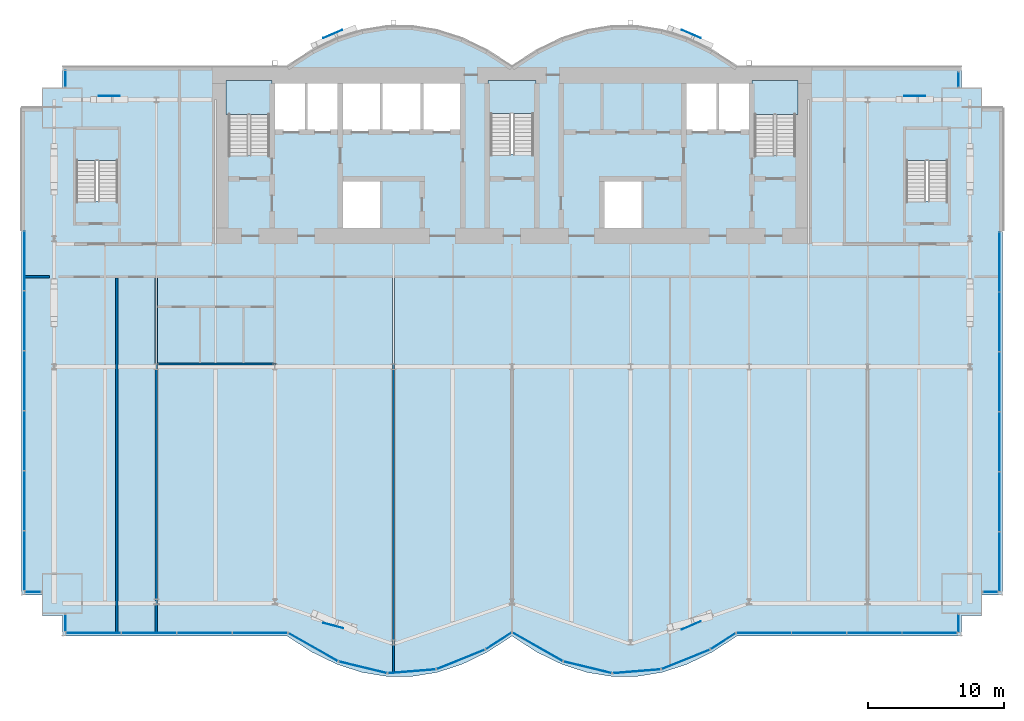
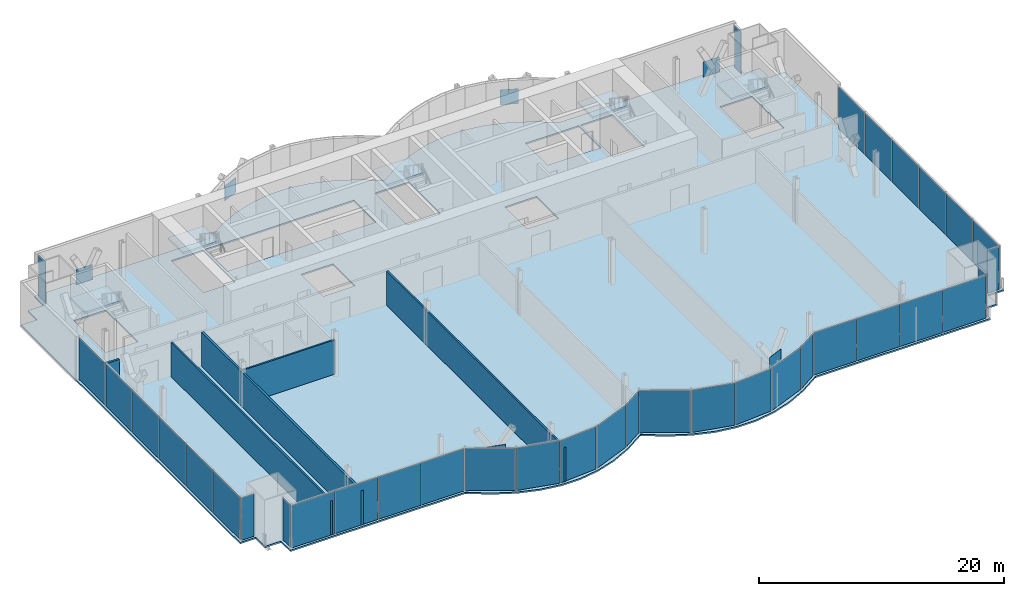
# One storey, part 14 of 22: 42 plates, 6 slabs, 5 walls, 17 elements without a shape of their own.
"""IFC4 building model written with IfcOpenShell, lengths in metres."""

import ifcopenshell
import ifcopenshell.guid

model = None  # the IFC model being written
_history = None  # IfcOwnerHistory: only IFC2X3 demands one
_inside = {}  # id of a spatial element -> (the spatial element, [elements in it])
_under = {}  # id of a project, library or spatial element -> (it, [spatial elements below it])
_declared = {}  # id of a project -> (the project, [libraries it declares])
_typed = {}  # id of a type object -> (the type object, [elements of that type])
_made_of = {}  # id of a material, layer set ... -> (it, [elements and type objects made of it])


def new_model(schema):
    """Start an empty IFC model of exactly this schema.

    Asked for "IFC4X3", IfcOpenShell would pick the latest addendum, in which some entities
    have other attributes; the version numbers below select the first issue.
    IFC2X3 requires an IfcOwnerHistory on every rooted entity: one is made here for all.
    """
    global model, _history
    if schema == "IFC4X3":
        model = ifcopenshell.file(schema_version=(4, 3, 0, 0))
    else:
        model = ifcopenshell.file(schema=schema)
    _inside.clear()
    _under.clear()
    _declared.clear()
    _typed.clear()
    _made_of.clear()
    _history = None
    if model.schema == "IFC2X3":
        org = make("IfcOrganization", Name="unknown")
        user = make(
            "IfcPersonAndOrganization",
            ThePerson=make("IfcPerson", FamilyName="unknown"),
            TheOrganization=org,
        )
        app = make(
            "IfcApplication",
            ApplicationDeveloper=org,
            Version="unknown",
            ApplicationFullName="unknown",
            ApplicationIdentifier="unknown",
        )
        _history = make(
            "IfcOwnerHistory",
            OwningUser=user,
            OwningApplication=app,
            ChangeAction="ADDED",
            CreationDate=0,
        )
    return model


def make(cls, **values):
    """One entity of the class cls with the attributes given. An attribute that is None is left unset."""
    return model.create_entity(
        cls, **{name: value for name, value in values.items() if value is not None}
    )


def rooted(cls, **values):
    """An entity with a GlobalId (a new one), such as an element, a storey or a relation."""
    return make(cls, GlobalId=ifcopenshell.guid.new(), OwnerHistory=_history, **values)


def si_unit(unit_type, name, prefix=None):
    """IfcSIUnit, for example si_unit("LENGTHUNIT", "METRE", prefix="MILLI")."""
    return make("IfcSIUnit", UnitType=unit_type, Prefix=prefix, Name=name)


def assignment(units):
    """IfcUnitAssignment: the units of a project."""
    return None if units is None else make("IfcUnitAssignment", Units=units)


def point(xyz):
    """IfcCartesianPoint."""
    return None if xyz is None else make("IfcCartesianPoint", Coordinates=xyz)


def direction(xyz):
    """IfcDirection."""
    return None if xyz is None else make("IfcDirection", DirectionRatios=xyz)


def frame(location, z_axis=None, x_axis=None):
    """IfcAxis2Placement3D, a coordinate frame: its origin and axes. An axis left out is left unset."""
    return make(
        "IfcAxis2Placement3D",
        Location=point(location),
        Axis=direction(z_axis),
        RefDirection=direction(x_axis),
    )


def frame_2d(location, x_axis=None):
    """IfcAxis2Placement2D, a coordinate frame in the plane: its origin and x axis."""
    return make(
        "IfcAxis2Placement2D", Location=point(location), RefDirection=direction(x_axis)
    )


def origin():
    """The frame at (0, 0, 0) with its axes left unset."""
    return frame((0.0, 0.0, 0.0))


def origin_2d():
    """The frame at (0, 0) in the plane with its x axis left unset."""
    return frame_2d((0.0, 0.0))


def place(relative_to, where):
    """IfcLocalPlacement: puts the frame where relative to a parent placement (None: the world)."""
    return make(
        "IfcLocalPlacement", PlacementRelTo=relative_to, RelativePlacement=where
    )


def context(
    kind, dimensions, precision=None, world=None, true_north=None, identifier=None
):
    """IfcGeometricRepresentationContext, for example the 3D "Model" context."""
    return make(
        "IfcGeometricRepresentationContext",
        ContextIdentifier=identifier,
        ContextType=kind,
        CoordinateSpaceDimension=dimensions,
        Precision=precision,
        WorldCoordinateSystem=world,
        TrueNorth=true_north,
    )


def subcontext(parent, identifier, kind, view, scale=None):
    """IfcGeometricRepresentationSubContext, for example "Body" below "Model"."""
    return make(
        "IfcGeometricRepresentationSubContext",
        ContextIdentifier=identifier,
        ContextType=kind,
        ParentContext=parent,
        TargetScale=scale,
        TargetView=view,
    )


def project(units=None, contexts=None):
    """IfcProject with its units and contexts."""
    return rooted(
        "IfcProject",
        Name="project",
        RepresentationContexts=contexts,
        UnitsInContext=assignment(units),
    )


def spatial(cls, under=None, at=None, **own):
    """A site, building, storey or space (cls), placed at a placement, below another one or the project."""
    s = rooted(cls, ObjectPlacement=at, **own)
    if under is not None:
        _under.setdefault(under.id(), (under, []))[1].append(s)
    return s


def polyline(points):
    """IfcPolyline through the points."""
    return make("IfcPolyline", Points=[point(p) for p in points])


def profile(cls, at=None, kind="AREA", **sizes):
    """A parametric profile (cls). Its sizes go by their IFC names, for example OverallWidth=200.0."""
    return make(cls, ProfileType=kind, Position=at, **sizes)


def rectangle(**sizes):
    """IfcRectangleProfileDef."""
    return profile("IfcRectangleProfileDef", **sizes)


def outline(outer, holes=None, kind="AREA"):
    """IfcArbitraryClosedProfileDef: a profile drawn as a closed curve; with holes, ...WithVoids."""
    if holes is None:
        return make("IfcArbitraryClosedProfileDef", ProfileType=kind, OuterCurve=outer)
    return make(
        "IfcArbitraryProfileDefWithVoids",
        ProfileType=kind,
        OuterCurve=outer,
        InnerCurves=holes,
    )


def extrude(swept, where, along, depth):
    """IfcExtrudedAreaSolid: the profile swept, set in the frame where, extruded along a direction by depth."""
    return make(
        "IfcExtrudedAreaSolid",
        SweptArea=swept,
        Position=where,
        ExtrudedDirection=direction(along),
        Depth=depth,
    )


def shape(context_of_items, identifier, shape_type, items):
    """IfcShapeRepresentation: the items that make up one representation, for example the "Body"."""
    return make(
        "IfcShapeRepresentation",
        ContextOfItems=context_of_items,
        RepresentationIdentifier=identifier,
        RepresentationType=shape_type,
        Items=items,
    )


def material(Name=None, Category=None):
    """IfcMaterial."""
    return make("IfcMaterial", Name=Name, Category=Category)


def layer(
    of_material, thickness, ventilated=None, Name=None, Category=None, Priority=None
):
    """IfcMaterialLayer: one layer of a wall or slab, of a material (None: an air gap)."""
    return make(
        "IfcMaterialLayer",
        Material=of_material,
        LayerThickness=thickness,
        IsVentilated=ventilated,
        Name=Name,
        Category=Category,
        Priority=Priority,
    )


def layer_set(layers, Name=None):
    """IfcMaterialLayerSet."""
    return make("IfcMaterialLayerSet", MaterialLayers=layers, LayerSetName=Name)


def made_of(thing, what):
    """Note that an element or type object is made of a material, layer set ...; save() writes the relation."""
    if what is not None:
        _made_of.setdefault(what.id(), (what, []))[1].append(thing)
    return thing


def type_object(cls, material=None, **own):
    """A type object (cls), such as IfcWallType, which elements share."""
    return made_of(rooted(cls, **own), material)


def element(
    cls,
    number,
    at=None,
    inside=None,
    cuts=None,
    type_object=None,
    material=None,
    context=None,
    identifier="Body",
    shape_type=None,
    held_by="IfcProductDefinitionShape",
    body=None,
    shapes=None,
    **own,
):
    """One element of the class cls, such as IfcWall. Its Tag is "e" and its number.

    at: its placement. inside: the storey or other place that contains it. cuts: it is an
    opening in that element (IfcRelVoidsElement). A single representation is given by context,
    identifier, shape_type and body (its items); several are given by shapes. held_by: the class
    of the entity that holds the representations. save() writes the other relations.
    """
    e = rooted(cls, Tag="e%d" % number, ObjectPlacement=at, **own)
    if body is not None:
        shapes = [shape(context, identifier, shape_type, body)]
    if shapes is not None:
        e.Representation = make(held_by, Representations=shapes)
    if inside is not None:
        _inside.setdefault(inside.id(), (inside, []))[1].append(e)
    if cuts is not None:
        rooted(
            "IfcRelVoidsElement", RelatingBuildingElement=cuts, RelatedOpeningElement=e
        )
    if type_object is not None:
        _typed.setdefault(type_object.id(), (type_object, []))[1].append(e)
    return made_of(e, material)


def aggregate(whole, parts):
    """IfcRelAggregates: a whole, such as a stair, and the parts it consists of."""
    return rooted("IfcRelAggregates", RelatingObject=whole, RelatedObjects=parts)


def save(model, path):
    """Write the relations noted so far, then the file.

    IfcRelAggregates (storeys below a building ...), IfcRelContainedInSpatialStructure (elements
    in a storey), IfcRelDefinesByType, IfcRelAssociatesMaterial and IfcRelDeclares: one each for
    every whole, place, type object, material and project.
    """
    for whole, parts in _under.values():
        aggregate(whole, parts)
    for where, things in _inside.values():
        rooted(
            "IfcRelContainedInSpatialStructure",
            RelatedElements=things,
            RelatingStructure=where,
        )
    for kind, things in _typed.values():
        rooted("IfcRelDefinesByType", RelatedObjects=things, RelatingType=kind)
    for what, things in _made_of.values():
        rooted("IfcRelAssociatesMaterial", RelatedObjects=things, RelatingMaterial=what)
    for by, libraries in _declared.values():
        rooted("IfcRelDeclares", RelatingContext=by, RelatedDefinitions=libraries)
    model.write(path)


model = new_model("IFC4")

# Units and contexts
model_context = context("Model", 3, precision=1e-05, world=origin(), true_north=direction((0.0, 1.0)))
body_context = subcontext(model_context, "Body", "Model", "MODEL_VIEW")
ifc_project = project(units=[si_unit("LENGTHUNIT", "METRE"), si_unit("AREAUNIT", "SQUARE_METRE"), si_unit("VOLUMEUNIT", "CUBIC_METRE"), si_unit("PLANEANGLEUNIT", "RADIAN"), si_unit("MASSUNIT", "GRAM", prefix="KILO")], contexts=[model_context])

# Site, building, storey
site_placement = place(None, origin())
site = spatial("IfcSite", under=ifc_project, at=site_placement, CompositionType="ELEMENT")
building_placement = place(site_placement, origin())
building = spatial("IfcBuilding", under=site, at=building_placement, Name="Bicima Exchange Tower", CompositionType="ELEMENT")
storey_placement = place(building_placement, frame((0.0, 0.0, 39.5)))
storey = spatial("IfcBuildingStorey", under=building, at=storey_placement, Name="L07", CompositionType="ELEMENT", Elevation=39.5)

# Plates
ifc_material_1 = material(Name="Steel ASTM A572 Gr 50", Category="steel")
ifc_layer_1 = layer(ifc_material_1, 0.02490234375)
ifc_layer_set_1 = layer_set([ifc_layer_1], Name="Steel ASTM A572 Gr 50")
plate_type_1 = type_object("IfcPlateType", Name="Brace crossing gusset 25", PredefinedType="SHEET", material=ifc_layer_set_1)
for number, where, z_axis, x_axis, name in (
    (1, (-13.15380859375, 2.415283203125, 1.5), (0.0, 0.0, 1.0), (0.920946171144, 0.389689812356, 0.0), "Brace crossing gusset plate"),
    (2, (13.15380859375, 2.415283203125, 1.5), (0.0, 0.0, 1.0), (0.920946171144, -0.389689812356, 0.0), "Brace crossing gusset plate"),
    (3, (-13.116943359375, -40.987548828125, 1.5), (0.0, 0.0, 1.0), (0.967901583186, -0.25132951531, 0.0), "Brace crossing gusset plate"),
    (4, (13.15478515625, -40.974609375, 1.5), (0.0, 0.0, 1.0), (0.91935521456, 0.393428506163, 0.0), "Brace crossing gusset plate"),
    (5, (-29.550048828125, -2.133544921875, 1.5), (0.0, 0.0, 1.0), (1.0, 0.0, 0.0), "Brace crossing gusset plate"),
    (6, (29.550048828125, -2.133544921875, 1.5), (0.0, 0.0, 1.0), (1.0, 0.0, 0.0), "Brace crossing gusset plate"),
):
    element("IfcPlate", number, at=place(storey_placement, frame(where, z_axis=z_axis, x_axis=x_axis)), inside=storey, type_object=plate_type_1, Name=name, PredefinedType="SHEET", context=body_context, shape_type="SweptSolid", body=[
        extrude(rectangle(XDim=1.52392578125, YDim=0.02490234375, at=origin_2d()), origin(), (0.0, 0.0, 1.0), 1.5),
    ])

# Slab
ifc_material_2 = material(Name="Concrete C40/50", Category="concrete")
ifc_layer_2 = layer(ifc_material_2, 0.14990234375)
ifc_layer_set_2 = layer_set([ifc_layer_2], Name="Concrete C40/50")
slab_type_1 = type_object("IfcSlabType", Name="Composite floor slab 150", PredefinedType="FLOOR", material=ifc_layer_set_2)
slab_1_placement = place(storey_placement, frame((0.0, 0.0, -0.14990234375)))
element("IfcSlab", 7, at=slab_1_placement, inside=storey, type_object=slab_type_1, Name="Floor slab", PredefinedType="FLOOR", context=body_context, shape_type="SweptSolid", body=[
    extrude(outline(polyline([(-36.0, -38.756103515625), (-36.0, -3.0), (-34.5, -3.0), (-34.5, -1.5), (-33.0, -1.5), (-33.0, 0.0), (-16.5, 0.0), (-14.666748046875, 1.185302734375), (-12.833251953125, 2.07421875), (-11.0, 2.666748046875), (-9.166748046875, 2.962890625), (-7.333251953125, 2.962890625), (-5.5, 2.666748046875), (-3.666748046875, 2.07421875), (-1.833251953125, 1.185302734375), (0.0, 0.0), (1.833251953125, 1.185302734375), (3.666748046875, 2.07421875), (5.5, 2.666748046875), (7.333251953125, 2.962890625), (9.166748046875, 2.962890625), (11.0, 2.666748046875), (12.833251953125, 2.07421875), (14.666748046875, 1.185302734375), (16.5, 0.0), (33.0, 0.0), (33.0, -1.5), (34.5, -1.5), (34.5, -3.0), (36.0, -3.0), (36.0, -38.756103515625), (34.5, -38.756103515625), (34.5, -40.256103515625), (33.0, -40.256103515625), (33.0, -41.756103515625), (16.5, -41.756103515625), (14.666748046875, -42.941162109375), (12.833251953125, -43.830078125), (11.0, -44.422607421875), (9.166748046875, -44.718994140625), (7.333251953125, -44.718994140625), (5.5, -44.422607421875), (3.666748046875, -43.830078125), (1.833251953125, -42.941162109375), (0.0, -41.756103515625), (-1.833251953125, -42.941162109375), (-3.666748046875, -43.830078125), (-5.5, -44.422607421875), (-7.333251953125, -44.718994140625), (-9.166748046875, -44.718994140625), (-11.0, -44.422607421875), (-12.833251953125, -43.830078125), (-14.666748046875, -42.941162109375), (-16.5, -41.756103515625), (-33.0, -41.756103515625), (-33.0, -40.256103515625), (-34.5, -40.256103515625), (-34.5, -38.756103515625), (-36.0, -38.756103515625)]), holes=[polyline([(-9.60009765625, -11.800048828125), (-9.60009765625, -8.199951171875), (-12.60009765625, -8.199951171875), (-12.60009765625, -11.800048828125), (-9.60009765625, -11.800048828125)]), polyline([(-31.97509765625, -9.824951171875), (-28.925048828125, -9.824951171875), (-28.925048828125, -4.625), (-31.97509765625, -4.625), (-31.97509765625, -9.824951171875)]), polyline([(-20.800048828125, -6.449951171875), (-17.800048828125, -6.449951171875), (-17.800048828125, -1.199951171875), (-20.800048828125, -1.199951171875), (-20.800048828125, -6.449951171875)]), polyline([(-9.60009765625, -1.199951171875), (-12.60009765625, -1.199951171875), (-15.10009765625, -1.199951171875), (-17.60009765625, -1.199951171875), (-17.60009765625, -4.800048828125), (-15.10009765625, -4.800048828125), (-12.60009765625, -4.800048828125), (-9.60009765625, -4.800048828125), (-6.60009765625, -4.800048828125), (-3.60009765625, -4.800048828125), (-3.60009765625, -1.199951171875), (-6.60009765625, -1.199951171875), (-9.60009765625, -1.199951171875)]), polyline([(9.60009765625, -11.800048828125), (9.60009765625, -8.199951171875), (6.60009765625, -8.199951171875), (6.60009765625, -11.800048828125), (9.60009765625, -11.800048828125)]), polyline([(28.925048828125, -9.824951171875), (31.97509765625, -9.824951171875), (31.97509765625, -4.625), (28.925048828125, -4.625), (28.925048828125, -9.824951171875)]), polyline([(17.800048828125, -6.449951171875), (20.800048828125, -6.449951171875), (20.800048828125, -1.199951171875), (17.800048828125, -1.199951171875), (17.800048828125, -6.449951171875)]), polyline([(-1.574951171875, -6.39990234375), (1.574951171875, -6.39990234375), (1.574951171875, -1.199951171875), (-1.574951171875, -1.199951171875), (-1.574951171875, -6.39990234375)]), polyline([(17.60009765625, -4.800048828125), (17.60009765625, -1.199951171875), (15.10009765625, -1.199951171875), (12.60009765625, -1.199951171875), (12.60009765625, -4.800048828125), (15.10009765625, -4.800048828125), (17.60009765625, -4.800048828125)])]), origin(), (0.0, 0.0, 1.0), 0.14990234375),
])

# Curtain wall, plates
ifc_material_3 = material(Name="Anodised bronze aluminium", Category="aluminium")
curtain_wall_type_1 = type_object("IfcCurtainWallType", Name="End face glass wall", PredefinedType="NOTDEFINED", material=ifc_material_3)
curtain_wall_1_placement = place(storey_placement, origin())
curtain_wall_1 = element("IfcCurtainWall", 8, at=curtain_wall_1_placement, inside=storey, type_object=curtain_wall_type_1, Name="End face glass wall L07 run 2", PredefinedType="NOTDEFINED")
ifc_material_4 = material(Name="Bronze tinted glass", Category="glass")
ifc_layer_3 = layer(ifc_material_4, 0.031982421875)
ifc_layer_set_3 = layer_set([ifc_layer_3], Name="Bronze tinted glass")
plate_type_2 = type_object("IfcPlateType", Name="End face glass wall glass panel 32", PredefinedType="CURTAIN_PANEL", material=ifc_layer_set_3)
plate_1_placement = place(storey_placement, frame((-35.77001953125, -14.228759765625, 0.0), z_axis=(0.0, 0.0, 1.0), x_axis=(0.0, -1.0, 0.0)))
plate_1 = element("IfcPlate", 9, at=plate_1_placement, type_object=plate_type_2, Name="End face glass wall panel 1.1", PredefinedType="CURTAIN_PANEL", context=body_context, shape_type="SweptSolid", body=[
    extrude(rectangle(XDim=4.337646484375, YDim=0.031982421875, at=origin_2d()), origin(), (0.0, 0.0, 1.0), 4.2099609375),
])
plate_2_placement = place(storey_placement, frame((-35.77001953125, -18.62646484375, 0.0), z_axis=(0.0, 0.0, 1.0), x_axis=(0.0, -1.0, 0.0)))
plate_2 = element("IfcPlate", 10, at=plate_2_placement, type_object=plate_type_2, Name="End face glass wall panel 2.1", PredefinedType="CURTAIN_PANEL", context=body_context, shape_type="SweptSolid", body=[
    extrude(rectangle(XDim=4.337646484375, YDim=0.031982421875, at=origin_2d()), origin(), (0.0, 0.0, 1.0), 4.2099609375),
])
plate_3_placement = place(storey_placement, frame((-35.77001953125, -23.024169921875, 0.0), z_axis=(0.0, 0.0, 1.0), x_axis=(0.0, -1.0, 0.0)))
plate_3 = element("IfcPlate", 11, at=plate_3_placement, type_object=plate_type_2, Name="End face glass wall panel 3.1", PredefinedType="CURTAIN_PANEL", context=body_context, shape_type="SweptSolid", body=[
    extrude(rectangle(XDim=4.337646484375, YDim=0.031982421875, at=origin_2d()), origin(), (0.0, 0.0, 1.0), 4.2099609375),
])
plate_4_placement = place(storey_placement, frame((-35.77001953125, -27.421875, 0.0), z_axis=(0.0, 0.0, 1.0), x_axis=(0.0, -1.0, 0.0)))
plate_4 = element("IfcPlate", 12, at=plate_4_placement, type_object=plate_type_2, Name="End face glass wall panel 4.1", PredefinedType="CURTAIN_PANEL", context=body_context, shape_type="SweptSolid", body=[
    extrude(rectangle(XDim=4.337646484375, YDim=0.031982421875, at=origin_2d()), origin(), (0.0, 0.0, 1.0), 4.2099609375),
])

curtain_wall_2_placement = place(storey_placement, origin())
curtain_wall_2 = element("IfcCurtainWall", 13, at=curtain_wall_2_placement, inside=storey, type_object=curtain_wall_type_1, Name="End face glass wall L07 run 19", PredefinedType="NOTDEFINED")
plate_5_placement = place(storey_placement, frame((35.77001953125, -27.501708984375, 0.0), z_axis=(0.0, 0.0, 1.0), x_axis=(0.0, 1.0, 0.0)))
plate_5 = element("IfcPlate", 14, at=plate_5_placement, type_object=plate_type_2, Name="End face glass wall panel 3.1", PredefinedType="CURTAIN_PANEL", context=body_context, shape_type="SweptSolid", body=[
    extrude(rectangle(XDim=4.337646484375, YDim=0.031982421875, at=origin_2d()), origin(), (0.0, 0.0, 1.0), 4.2099609375),
])
plate_6_placement = place(storey_placement, frame((35.77001953125, -23.104248046875, 0.0), z_axis=(0.0, 0.0, 1.0), x_axis=(0.0, 1.0, 0.0)))
plate_6 = element("IfcPlate", 15, at=plate_6_placement, type_object=plate_type_2, Name="End face glass wall panel 4.1", PredefinedType="CURTAIN_PANEL", context=body_context, shape_type="SweptSolid", body=[
    extrude(rectangle(XDim=4.337646484375, YDim=0.031982421875, at=origin_2d()), origin(), (0.0, 0.0, 1.0), 4.2099609375),
])
plate_7_placement = place(storey_placement, frame((35.77001953125, -18.70654296875, 0.0), z_axis=(0.0, 0.0, 1.0), x_axis=(0.0, 1.0, 0.0)))
plate_7 = element("IfcPlate", 16, at=plate_7_placement, type_object=plate_type_2, Name="End face glass wall panel 5.1", PredefinedType="CURTAIN_PANEL", context=body_context, shape_type="SweptSolid", body=[
    extrude(rectangle(XDim=4.337646484375, YDim=0.031982421875, at=origin_2d()), origin(), (0.0, 0.0, 1.0), 4.2099609375),
])
plate_8_placement = place(storey_placement, frame((35.77001953125, -14.308837890625, 0.0), z_axis=(0.0, 0.0, 1.0), x_axis=(0.0, 1.0, 0.0)))
plate_8 = element("IfcPlate", 17, at=plate_8_placement, type_object=plate_type_2, Name="End face glass wall panel 6.1", PredefinedType="CURTAIN_PANEL", context=body_context, shape_type="SweptSolid", body=[
    extrude(rectangle(XDim=4.337646484375, YDim=0.031982421875, at=origin_2d()), origin(), (0.0, 0.0, 1.0), 4.2099609375),
])

# Plate
ifc_material_5 = material(Name="Bronze anodised aluminium", Category="aluminium")
ifc_layer_4 = layer(ifc_material_5, 0.031982421875)
ifc_layer_set_4 = layer_set([ifc_layer_4], Name="Bronze anodised aluminium")
plate_type_3 = type_object("IfcPlateType", Name="End face glass wall spandrel panel 32", PredefinedType="CURTAIN_PANEL", material=ifc_layer_set_4)
plate_9_placement = place(storey_placement, frame((-35.77001953125, -31.819580078125, 0.0), z_axis=(0.0, 0.0, 1.0), x_axis=(0.0, -1.0, 0.0)))
plate_9 = element("IfcPlate", 18, at=plate_9_placement, type_object=plate_type_3, Name="End face spandrel wall panel 5.1", PredefinedType="CURTAIN_PANEL", context=body_context, shape_type="SweptSolid", body=[
    extrude(rectangle(XDim=4.337646484375, YDim=0.031982421875, at=origin_2d()), origin(), (0.0, 0.0, 1.0), 4.2099609375),
])

plate_10_placement = place(storey_placement, frame((-35.77001953125, -36.21728515625, 0.0), z_axis=(0.0, 0.0, 1.0), x_axis=(0.0, -1.0, 0.0)))
plate_10 = element("IfcPlate", 19, at=plate_10_placement, type_object=plate_type_3, Name="End face spandrel wall panel 6.1", PredefinedType="CURTAIN_PANEL", context=body_context, shape_type="SweptSolid", body=[
    extrude(rectangle(XDim=4.337646484375, YDim=0.031982421875, at=origin_2d()), origin(), (0.0, 0.0, 1.0), 4.2099609375),
])

aggregate(curtain_wall_1, [plate_1, plate_2, plate_3, plate_4, plate_9, plate_10])

plate_11_placement = place(storey_placement, frame((35.77001953125, -36.297119140625, 0.0), z_axis=(0.0, 0.0, 1.0), x_axis=(0.0, 1.0, 0.0)))
plate_11 = element("IfcPlate", 20, at=plate_11_placement, type_object=plate_type_3, Name="End face spandrel wall panel 1.1", PredefinedType="CURTAIN_PANEL", context=body_context, shape_type="SweptSolid", body=[
    extrude(rectangle(XDim=4.337646484375, YDim=0.031982421875, at=origin_2d()), origin(), (0.0, 0.0, 1.0), 4.2099609375),
])

plate_12_placement = place(storey_placement, frame((35.77001953125, -31.8994140625, 0.0), z_axis=(0.0, 0.0, 1.0), x_axis=(0.0, 1.0, 0.0)))
plate_12 = element("IfcPlate", 21, at=plate_12_placement, type_object=plate_type_3, Name="End face spandrel wall panel 2.1", PredefinedType="CURTAIN_PANEL", context=body_context, shape_type="SweptSolid", body=[
    extrude(rectangle(XDim=4.337646484375, YDim=0.031982421875, at=origin_2d()), origin(), (0.0, 0.0, 1.0), 4.2099609375),
])

aggregate(curtain_wall_2, [plate_11, plate_12, plate_5, plate_6, plate_7, plate_8])

# Curtain wall, plate
curtain_wall_type_2 = type_object("IfcCurtainWallType", Name="Front glass wall", PredefinedType="NOTDEFINED", material=ifc_material_3)
curtain_wall_3_placement = place(storey_placement, origin())
curtain_wall_3 = element("IfcCurtainWall", 22, at=curtain_wall_3_placement, inside=storey, type_object=curtain_wall_type_2, Name="Front glass wall L07 run 1", PredefinedType="NOTDEFINED")
ifc_layer_5 = layer(ifc_material_4, 0.031982421875)
ifc_layer_set_5 = layer_set([ifc_layer_5], Name="Bronze tinted glass")
plate_type_4 = type_object("IfcPlateType", Name="Front glass wall glass panel 32", PredefinedType="CURTAIN_PANEL", material=ifc_layer_set_5)
plate_13_placement = place(storey_placement, frame((-32.77001953125, -0.864990234375, 0.0), z_axis=(0.0, 0.0, 1.0), x_axis=(0.0, -1.0, 0.0)))
plate_13 = element("IfcPlate", 23, at=plate_13_placement, type_object=plate_type_4, Name="Front glass wall panel 1.1", PredefinedType="CURTAIN_PANEL", context=body_context, shape_type="SweptSolid", body=[
    extrude(rectangle(XDim=1.14990234375, YDim=0.031982421875, at=origin_2d()), origin(), (0.0, 0.0, 1.0), 4.2099609375),
])
aggregate(curtain_wall_3, [plate_13])

curtain_wall_4_placement = place(storey_placement, origin())
curtain_wall_4 = element("IfcCurtainWall", 24, at=curtain_wall_4_placement, inside=storey, type_object=curtain_wall_type_2, Name="Front glass wall L07 run 3", PredefinedType="NOTDEFINED")
plate_14_placement = place(storey_placement, frame((-35.135009765625, -38.52587890625, 0.0), z_axis=(0.0, 0.0, 1.0), x_axis=(1.0, 0.0, 0.0)))
plate_14 = element("IfcPlate", 25, at=plate_14_placement, type_object=plate_type_4, Name="Front glass wall panel 1.1", PredefinedType="CURTAIN_PANEL", context=body_context, shape_type="SweptSolid", body=[
    extrude(rectangle(XDim=1.14990234375, YDim=0.031982421875, at=origin_2d()), origin(), (0.0, 0.0, 1.0), 4.2099609375),
])
aggregate(curtain_wall_4, [plate_14])

curtain_wall_5_placement = place(storey_placement, origin())
curtain_wall_5 = element("IfcCurtainWall", 26, at=curtain_wall_5_placement, inside=storey, type_object=curtain_wall_type_2, Name="Front glass wall L07 run 4", PredefinedType="NOTDEFINED")
plate_15_placement = place(storey_placement, frame((-32.77001953125, -40.7900390625, 0.0), z_axis=(0.0, 0.0, 1.0), x_axis=(0.0, -1.0, 0.0)))
plate_15 = element("IfcPlate", 27, at=plate_15_placement, type_object=plate_type_4, Name="Front glass wall panel 1.1", PredefinedType="CURTAIN_PANEL", context=body_context, shape_type="SweptSolid", body=[
    extrude(rectangle(XDim=1.19189453125, YDim=0.031982421875, at=origin_2d()), origin(), (0.0, 0.0, 1.0), 4.2099609375),
])
aggregate(curtain_wall_5, [plate_15])

# Curtain wall, plates
curtain_wall_6_placement = place(storey_placement, origin())
curtain_wall_6 = element("IfcCurtainWall", 28, at=curtain_wall_6_placement, inside=storey, type_object=curtain_wall_type_2, Name="Front glass wall L07 run 5", PredefinedType="NOTDEFINED")
plate_16_placement = place(storey_placement, frame((-22.56640625, -41.52587890625, 0.0), z_axis=(0.0, 0.0, 1.0), x_axis=(1.0, 0.0, 0.0)))
plate_16 = element("IfcPlate", 29, at=plate_16_placement, type_object=plate_type_4, Name="Front glass wall panel 3.1", PredefinedType="CURTAIN_PANEL", context=body_context, shape_type="SweptSolid", body=[
    extrude(rectangle(XDim=4.009521484375, YDim=0.031982421875, at=origin_2d()), origin(), (0.0, 0.0, 1.0), 4.2099609375),
])
plate_17_placement = place(storey_placement, frame((-18.496826171875, -41.52587890625, 0.0), z_axis=(0.0, 0.0, 1.0), x_axis=(1.0, 0.0, 0.0)))
plate_17 = element("IfcPlate", 30, at=plate_17_placement, type_object=plate_type_4, Name="Front glass wall panel 4.1", PredefinedType="CURTAIN_PANEL", context=body_context, shape_type="SweptSolid", body=[
    extrude(rectangle(XDim=4.009521484375, YDim=0.031982421875, at=origin_2d()), origin(), (0.0, 0.0, 1.0), 4.2099609375),
])

curtain_wall_7_placement = place(storey_placement, origin())
curtain_wall_7 = element("IfcCurtainWall", 31, at=curtain_wall_7_placement, inside=storey, type_object=curtain_wall_type_2, Name="Front glass wall L07 run 6", PredefinedType="NOTDEFINED")
plate_18_placement = place(storey_placement, frame((-14.589599609375, -42.571044921875, 0.0), z_axis=(0.0, 0.0, 1.0), x_axis=(0.869805110681, -0.493395449343, 0.0)))
plate_18 = element("IfcPlate", 32, at=plate_18_placement, type_object=plate_type_4, Name="Front glass wall panel 1.1", PredefinedType="CURTAIN_PANEL", context=body_context, shape_type="SweptSolid", body=[
    extrude(rectangle(XDim=4.1162109375, YDim=0.031982421875, at=origin_2d()), origin(), (0.0, 0.0, 1.0), 4.2099609375),
])
plate_19_placement = place(storey_placement, frame((-10.94775390625, -44.052490234375, 0.0), z_axis=(0.0, 0.0, 1.0), x_axis=(0.971830343553, -0.235681529503, 0.0)))
plate_19 = element("IfcPlate", 33, at=plate_19_placement, type_object=plate_type_4, Name="Front glass wall panel 1.1", PredefinedType="CURTAIN_PANEL", context=body_context, shape_type="SweptSolid", body=[
    extrude(rectangle(XDim=3.583251953125, YDim=0.031982421875, at=origin_2d()), origin(), (0.0, 0.0, 1.0), 4.2099609375),
])
plate_20_placement = place(storey_placement, frame((-0.97314453125, -42.111083984375, 0.0), z_axis=(0.0, 0.0, 1.0), x_axis=(0.839798994301, 0.542897457326, 0.0)))
plate_20 = element("IfcPlate", 34, at=plate_20_placement, type_object=plate_type_4, Name="Front glass wall panel 1.1", PredefinedType="CURTAIN_PANEL", context=body_context, shape_type="SweptSolid", body=[
    extrude(rectangle(XDim=2.197509765625, YDim=0.031982421875, at=origin_2d()), origin(), (0.0, 0.0, 1.0), 4.2099609375),
])

curtain_wall_8_placement = place(storey_placement, origin())
curtain_wall_8 = element("IfcCurtainWall", 35, at=curtain_wall_8_placement, inside=storey, type_object=curtain_wall_type_2, Name="Front glass wall L07 run 11", PredefinedType="NOTDEFINED")
plate_21_placement = place(storey_placement, frame((9.14892578125, -44.34375, 0.0), z_axis=(0.0, 0.0, 1.0), x_axis=(0.99674744821, 0.080588612633, 0.0)))
plate_21 = element("IfcPlate", 36, at=plate_21_placement, type_object=plate_type_4, Name="Front glass wall panel 1.1", PredefinedType="CURTAIN_PANEL", context=body_context, shape_type="SweptSolid", body=[
    extrude(rectangle(XDim=3.486083984375, YDim=0.031982421875, at=origin_2d()), origin(), (0.0, 0.0, 1.0), 4.2099609375),
])
plate_22_placement = place(storey_placement, frame((12.749755859375, -43.469482421875, 0.0), z_axis=(0.0, 0.0, 1.0), x_axis=(0.92714396679, 0.374705304, 0.0)))
plate_22 = element("IfcPlate", 37, at=plate_22_placement, type_object=plate_type_4, Name="Front glass wall panel 1.1", PredefinedType="CURTAIN_PANEL", context=body_context, shape_type="SweptSolid", body=[
    extrude(rectangle(XDim=3.771240234375, YDim=0.031982421875, at=origin_2d()), origin(), (0.0, 0.0, 1.0), 4.2099609375),
])
plate_23_placement = place(storey_placement, frame((15.492919921875, -42.13330078125, 0.0), z_axis=(0.0, 0.0, 1.0), x_axis=(0.839791413941, 0.542909183079, 0.0)))
plate_23 = element("IfcPlate", 38, at=plate_23_placement, type_object=plate_type_4, Name="Front glass wall panel 1.1", PredefinedType="CURTAIN_PANEL", context=body_context, shape_type="SweptSolid", body=[
    extrude(rectangle(XDim=2.11669921875, YDim=0.031982421875, at=origin_2d()), origin(), (0.0, 0.0, 1.0), 4.2099609375),
])

curtain_wall_9_placement = place(storey_placement, origin())
curtain_wall_9 = element("IfcCurtainWall", 39, at=curtain_wall_9_placement, inside=storey, type_object=curtain_wall_type_2, Name="Front glass wall L07 run 16", PredefinedType="NOTDEFINED")
plate_24_placement = place(storey_placement, frame((18.48681640625, -41.52587890625, 0.0), z_axis=(0.0, 0.0, 1.0), x_axis=(1.0, 0.0, 0.0)))
plate_24 = element("IfcPlate", 40, at=plate_24_placement, type_object=plate_type_4, Name="Front glass wall panel 1.1", PredefinedType="CURTAIN_PANEL", context=body_context, shape_type="SweptSolid", body=[
    extrude(rectangle(XDim=3.989501953125, YDim=0.031982421875, at=origin_2d()), origin(), (0.0, 0.0, 1.0), 4.2099609375),
])
plate_25_placement = place(storey_placement, frame((22.536376953125, -41.52587890625, 0.0), z_axis=(0.0, 0.0, 1.0), x_axis=(1.0, 0.0, 0.0)))
plate_25 = element("IfcPlate", 41, at=plate_25_placement, type_object=plate_type_4, Name="Front glass wall panel 2.1", PredefinedType="CURTAIN_PANEL", context=body_context, shape_type="SweptSolid", body=[
    extrude(rectangle(XDim=3.989501953125, YDim=0.031982421875, at=origin_2d()), origin(), (0.0, 0.0, 1.0), 4.2099609375),
])

# Curtain wall, plate
curtain_wall_10_placement = place(storey_placement, origin())
curtain_wall_10 = element("IfcCurtainWall", 42, at=curtain_wall_10_placement, inside=storey, type_object=curtain_wall_type_2, Name="Front glass wall L07 run 17", PredefinedType="NOTDEFINED")
plate_26_placement = place(storey_placement, frame((32.77001953125, -40.830078125, 0.0), z_axis=(0.0, 0.0, 1.0), x_axis=(0.0, 1.0, 0.0)))
plate_26 = element("IfcPlate", 43, at=plate_26_placement, type_object=plate_type_4, Name="Front glass wall panel 1.1", PredefinedType="CURTAIN_PANEL", context=body_context, shape_type="SweptSolid", body=[
    extrude(rectangle(XDim=1.27197265625, YDim=0.031982421875, at=origin_2d()), origin(), (0.0, 0.0, 1.0), 4.2099609375),
])
aggregate(curtain_wall_10, [plate_26])

curtain_wall_11_placement = place(storey_placement, origin())
curtain_wall_11 = element("IfcCurtainWall", 44, at=curtain_wall_11_placement, inside=storey, type_object=curtain_wall_type_2, Name="Front glass wall L07 run 18", PredefinedType="NOTDEFINED")
plate_27_placement = place(storey_placement, frame((35.094970703125, -38.52587890625, 0.0), z_axis=(0.0, 0.0, 1.0), x_axis=(1.0, 0.0, 0.0)))
plate_27 = element("IfcPlate", 45, at=plate_27_placement, type_object=plate_type_4, Name="Front glass wall panel 1.1", PredefinedType="CURTAIN_PANEL", context=body_context, shape_type="SweptSolid", body=[
    extrude(rectangle(XDim=1.070068359375, YDim=0.031982421875, at=origin_2d()), origin(), (0.0, 0.0, 1.0), 4.2099609375),
])
aggregate(curtain_wall_11, [plate_27])

curtain_wall_12_placement = place(storey_placement, origin())
curtain_wall_12 = element("IfcCurtainWall", 46, at=curtain_wall_12_placement, inside=storey, type_object=curtain_wall_type_2, Name="Front glass wall L07 run 20", PredefinedType="NOTDEFINED")
plate_28_placement = place(storey_placement, frame((32.77001953125, -0.905029296875, 0.0), z_axis=(0.0, 0.0, 1.0), x_axis=(0.0, 1.0, 0.0)))
plate_28 = element("IfcPlate", 47, at=plate_28_placement, type_object=plate_type_4, Name="Front glass wall panel 1.1", PredefinedType="CURTAIN_PANEL", context=body_context, shape_type="SweptSolid", body=[
    extrude(rectangle(XDim=1.070068359375, YDim=0.031982421875, at=origin_2d()), origin(), (0.0, 0.0, 1.0), 4.2099609375),
])
aggregate(curtain_wall_12, [plate_28])

# Plate
ifc_layer_6 = layer(ifc_material_5, 0.031982421875)
ifc_layer_set_6 = layer_set([ifc_layer_6], Name="Bronze anodised aluminium")
plate_type_5 = type_object("IfcPlateType", Name="Front glass wall spandrel panel 32", PredefinedType="CURTAIN_PANEL", material=ifc_layer_set_6)
plate_29_placement = place(storey_placement, frame((-30.705322265625, -41.52587890625, 0.0), z_axis=(0.0, 0.0, 1.0), x_axis=(1.0, 0.0, 0.0)))
plate_29 = element("IfcPlate", 48, at=plate_29_placement, type_object=plate_type_5, Name="Front spandrel wall panel 1.1", PredefinedType="CURTAIN_PANEL", context=body_context, shape_type="SweptSolid", body=[
    extrude(rectangle(XDim=4.009521484375, YDim=0.031982421875, at=origin_2d()), origin(), (0.0, 0.0, 1.0), 4.2099609375),
])

plate_30_placement = place(storey_placement, frame((-26.6357421875, -41.52587890625, 0.0), z_axis=(0.0, 0.0, 1.0), x_axis=(1.0, 0.0, 0.0)))
plate_30 = element("IfcPlate", 49, at=plate_30_placement, type_object=plate_type_5, Name="Front spandrel wall panel 2.1", PredefinedType="CURTAIN_PANEL", context=body_context, shape_type="SweptSolid", body=[
    extrude(rectangle(XDim=4.009521484375, YDim=0.031982421875, at=origin_2d()), origin(), (0.0, 0.0, 1.0), 4.2099609375),
])

aggregate(curtain_wall_6, [plate_29, plate_30, plate_16, plate_17])

plate_31_placement = place(storey_placement, frame((-7.35107421875, -44.34375, 0.0), z_axis=(0.0, 0.0, 1.0), x_axis=(0.99674744821, 0.080588612633, 0.0)))
plate_31 = element("IfcPlate", 50, at=plate_31_placement, type_object=plate_type_5, Name="Front spandrel wall panel 1.1", PredefinedType="CURTAIN_PANEL", context=body_context, shape_type="SweptSolid", body=[
    extrude(rectangle(XDim=3.486083984375, YDim=0.031982421875, at=origin_2d()), origin(), (0.0, 0.0, 1.0), 4.2099609375),
])

plate_32_placement = place(storey_placement, frame((-3.750244140625, -43.469482421875, 0.0), z_axis=(0.0, 0.0, 1.0), x_axis=(0.92714396679, 0.374705304, 0.0)))
plate_32 = element("IfcPlate", 51, at=plate_32_placement, type_object=plate_type_5, Name="Front spandrel wall panel 1.1", PredefinedType="CURTAIN_PANEL", context=body_context, shape_type="SweptSolid", body=[
    extrude(rectangle(XDim=3.771240234375, YDim=0.031982421875, at=origin_2d()), origin(), (0.0, 0.0, 1.0), 4.2099609375),
])

aggregate(curtain_wall_7, [plate_18, plate_19, plate_31, plate_32, plate_20])

plate_33_placement = place(storey_placement, frame((1.876220703125, -42.54931640625, 0.0), z_axis=(0.0, 0.0, 1.0), x_axis=(0.869274147378, -0.494330311331, 0.0)))
plate_33 = element("IfcPlate", 52, at=plate_33_placement, type_object=plate_type_5, Name="Front spandrel wall panel 1.1", PredefinedType="CURTAIN_PANEL", context=body_context, shape_type="SweptSolid", body=[
    extrude(rectangle(XDim=4.197021484375, YDim=0.031982421875, at=origin_2d()), origin(), (0.0, 0.0, 1.0), 4.2099609375),
])

plate_34_placement = place(storey_placement, frame((5.55224609375, -44.052490234375, 0.0), z_axis=(0.0, 0.0, 1.0), x_axis=(0.971830343553, -0.235681529503, 0.0)))
plate_34 = element("IfcPlate", 53, at=plate_34_placement, type_object=plate_type_5, Name="Front spandrel wall panel 1.1", PredefinedType="CURTAIN_PANEL", context=body_context, shape_type="SweptSolid", body=[
    extrude(rectangle(XDim=3.583251953125, YDim=0.031982421875, at=origin_2d()), origin(), (0.0, 0.0, 1.0), 4.2099609375),
])

aggregate(curtain_wall_8, [plate_33, plate_34, plate_21, plate_22, plate_23])

plate_35_placement = place(storey_placement, frame((26.585693359375, -41.52587890625, 0.0), z_axis=(0.0, 0.0, 1.0), x_axis=(1.0, 0.0, 0.0)))
plate_35 = element("IfcPlate", 54, at=plate_35_placement, type_object=plate_type_5, Name="Front spandrel wall panel 3.1", PredefinedType="CURTAIN_PANEL", context=body_context, shape_type="SweptSolid", body=[
    extrude(rectangle(XDim=3.989501953125, YDim=0.031982421875, at=origin_2d()), origin(), (0.0, 0.0, 1.0), 4.2099609375),
])

plate_36_placement = place(storey_placement, frame((30.63525390625, -41.52587890625, 0.0), z_axis=(0.0, 0.0, 1.0), x_axis=(1.0, 0.0, 0.0)))
plate_36 = element("IfcPlate", 55, at=plate_36_placement, type_object=plate_type_5, Name="Front spandrel wall panel 4.1", PredefinedType="CURTAIN_PANEL", context=body_context, shape_type="SweptSolid", body=[
    extrude(rectangle(XDim=3.989501953125, YDim=0.031982421875, at=origin_2d()), origin(), (0.0, 0.0, 1.0), 4.2099609375),
])

aggregate(curtain_wall_9, [plate_24, plate_25, plate_35, plate_36])

# Stair, slab
ifc_material_6 = material(Name="Concrete C50/60", Category="concrete")
stair_type_1 = type_object("IfcStairType", Name="Exit stair", PredefinedType="HALF_TURN_STAIR", material=ifc_material_6)
stair_1_placement = place(storey_placement, origin())
stair_1 = element("IfcStair", 56, at=stair_1_placement, inside=storey, type_object=stair_type_1, Name="L07 West exit stair", PredefinedType="HALF_TURN_STAIR")
ifc_layer_7 = layer(ifc_material_6, 0.199951171875)
ifc_layer_set_7 = layer_set([ifc_layer_7], Name="Concrete C50/60")
slab_type_2 = type_object("IfcSlabType", Name="Stair landing slab", PredefinedType="LANDING", material=ifc_layer_set_7)
slab_2_placement = place(storey_placement, frame((0.0, 0.0, 2.050048828125)))
slab_2 = element("IfcSlab", 57, at=slab_2_placement, type_object=slab_type_2, Name="ST-W landing 1", PredefinedType="LANDING", context=body_context, shape_type="SweptSolid", body=[
    extrude(outline(polyline([(-17.60009765625, -3.469970703125), (-17.60009765625, -1.0), (-21.0, -1.0), (-21.0, -3.469970703125), (-17.60009765625, -3.469970703125)])), origin(), (0.0, 0.0, 1.0), 0.199951171875),
])
aggregate(stair_1, [slab_2])

stair_type_2 = type_object("IfcStairType", Name="Exit stair 1500", PredefinedType="HALF_TURN_STAIR", material=ifc_material_6)
stair_2_placement = place(storey_placement, origin())
stair_2 = element("IfcStair", 58, at=stair_2_placement, inside=storey, type_object=stair_type_2, Name="L07 Central exit stair", PredefinedType="HALF_TURN_STAIR")
slab_3_placement = place(storey_placement, frame((0.0, 0.0, 2.050048828125)))
slab_3 = element("IfcSlab", 59, at=slab_3_placement, type_object=slab_type_2, Name="ST-C landing 1", PredefinedType="LANDING", context=body_context, shape_type="SweptSolid", body=[
    extrude(outline(polyline([(1.77490234375, -3.419921875), (1.77490234375, -1.0), (-1.77490234375, -1.0), (-1.77490234375, -3.419921875), (1.77490234375, -3.419921875)])), origin(), (0.0, 0.0, 1.0), 0.199951171875),
])
aggregate(stair_2, [slab_3])

stair_3_placement = place(storey_placement, origin())
stair_3 = element("IfcStair", 60, at=stair_3_placement, inside=storey, type_object=stair_type_1, Name="L07 East exit stair", PredefinedType="HALF_TURN_STAIR")
slab_4_placement = place(storey_placement, frame((0.0, 0.0, 2.050048828125)))
slab_4 = element("IfcSlab", 61, at=slab_4_placement, type_object=slab_type_2, Name="ST-E landing 1", PredefinedType="LANDING", context=body_context, shape_type="SweptSolid", body=[
    extrude(outline(polyline([(21.0, -3.469970703125), (21.0, -1.0), (17.60009765625, -1.0), (17.60009765625, -3.469970703125), (21.0, -3.469970703125)])), origin(), (0.0, 0.0, 1.0), 0.199951171875),
])
aggregate(stair_3, [slab_4])

stair_4_placement = place(storey_placement, origin())
stair_4 = element("IfcStair", 62, at=stair_4_placement, inside=storey, type_object=stair_type_1, Name="L07 West end exit stair", PredefinedType="HALF_TURN_STAIR")
slab_5_placement = place(storey_placement, frame((0.0, 0.0, 2.050048828125)))
slab_5 = element("IfcSlab", 63, at=slab_5_placement, type_object=slab_type_2, Name="ST-WW landing 1", PredefinedType="LANDING", context=body_context, shape_type="SweptSolid", body=[
    extrude(outline(polyline([(-28.72509765625, -6.844970703125), (-28.72509765625, -4.425048828125), (-32.175048828125, -4.425048828125), (-32.175048828125, -6.844970703125), (-28.72509765625, -6.844970703125)])), origin(), (0.0, 0.0, 1.0), 0.199951171875),
])
aggregate(stair_4, [slab_5])

stair_5_placement = place(storey_placement, origin())
stair_5 = element("IfcStair", 64, at=stair_5_placement, inside=storey, type_object=stair_type_1, Name="L07 East end exit stair", PredefinedType="HALF_TURN_STAIR")
slab_6_placement = place(storey_placement, frame((0.0, 0.0, 2.050048828125)))
slab_6 = element("IfcSlab", 65, at=slab_6_placement, type_object=slab_type_2, Name="ST-EE landing 1", PredefinedType="LANDING", context=body_context, shape_type="SweptSolid", body=[
    extrude(outline(polyline([(32.175048828125, -6.844970703125), (32.175048828125, -4.425048828125), (28.72509765625, -4.425048828125), (28.72509765625, -6.844970703125), (32.175048828125, -6.844970703125)])), origin(), (0.0, 0.0, 1.0), 0.199951171875),
])
aggregate(stair_5, [slab_6])

# Walls
ifc_material_7 = material(Name="Gypsum board partition")
ifc_layer_8 = layer(ifc_material_7, 0.199951171875)
ifc_layer_set_8 = layer_set([ifc_layer_8], Name="Gypsum board partition")
wall_type_1 = type_object("IfcWallType", Name="Fire-rated gypsum partition 200 EI60", PredefinedType="PARTITIONING", material=ifc_layer_set_8)
wall_1_placement = place(storey_placement, frame((-35.679931640625, -15.39990234375, 0.0), z_axis=(0.0, 0.0, 1.0), x_axis=(1.0, 0.0, 0.0)))
element("IfcWall", 66, at=wall_1_placement, inside=storey, type_object=wall_type_1, Name="partition wall 3", PredefinedType="PARTITIONING", context=body_context, shape_type="SweptSolid", body=[
    extrude(rectangle(XDim=1.75, YDim=0.199951171875, at=frame_2d((0.875, 0.0))), origin(), (0.0, 0.0, 1.0), 3.418212890625),
])
wall_2_placement = place(storey_placement, frame((-26.10009765625, -41.550048828125, 0.0), z_axis=(0.0, 0.0, 1.0), x_axis=(0.0, 1.0, 0.0)))
element("IfcWall", 67, at=wall_2_placement, inside=storey, type_object=wall_type_1, Name="partition wall 17", PredefinedType="PARTITIONING", context=body_context, shape_type="SweptSolid", body=[
    extrude(rectangle(XDim=26.050048828125, YDim=0.199951171875, at=frame_2d((13.02490234375, 0.0))), origin(), (0.0, 0.0, 1.0), 3.418212890625),
])
ifc_layer_9 = layer(ifc_material_7, 0.14990234375)
ifc_layer_set_9 = layer_set([ifc_layer_9], Name="Gypsum board partition")
wall_type_2 = type_object("IfcWallType", Name="Gypsum partition 150", PredefinedType="PARTITIONING", material=ifc_layer_set_9)
wall_3_placement = place(storey_placement, frame((-26.0, -21.800048828125, 0.0), z_axis=(0.0, 0.0, 1.0), x_axis=(1.0, 0.0, 0.0)))
element("IfcWall", 68, at=wall_3_placement, inside=storey, type_object=wall_type_2, Name="partition wall 1", PredefinedType="PARTITIONING", context=body_context, shape_type="SweptSolid", body=[
    extrude(rectangle(XDim=8.699951171875, YDim=0.14990234375, at=frame_2d((4.35009765625, 0.0))), origin(), (0.0, 0.0, 1.0), 3.418212890625),
])
wall_4_placement = place(storey_placement, frame((-29.0, -41.550048828125, 0.0), z_axis=(0.0, 0.0, 1.0), x_axis=(0.0, 1.0, 0.0)))
element("IfcWall", 69, at=wall_4_placement, inside=storey, type_object=wall_type_2, Name="partition wall 15", PredefinedType="PARTITIONING", context=body_context, shape_type="SweptSolid", body=[
    extrude(rectangle(XDim=26.050048828125, YDim=0.14990234375, at=frame_2d((13.02490234375, 0.0))), origin(), (0.0, 0.0, 1.0), 3.418212890625),
])
wall_5_placement = place(storey_placement, frame((-8.699951171875, -44.510009765625, 0.0), z_axis=(0.0, 0.0, 1.0), x_axis=(0.0, 1.0, 0.0)))
element("IfcWall", 70, at=wall_5_placement, inside=storey, type_object=wall_type_2, Name="partition wall 22", PredefinedType="PARTITIONING", context=body_context, shape_type="SweptSolid", body=[
    extrude(rectangle(XDim=29.010009765625, YDim=0.14990234375, at=frame_2d((14.5048828125, 0.0))), origin(), (0.0, 0.0, 1.0), 3.418212890625),
])

save(model, "model.ifc")
